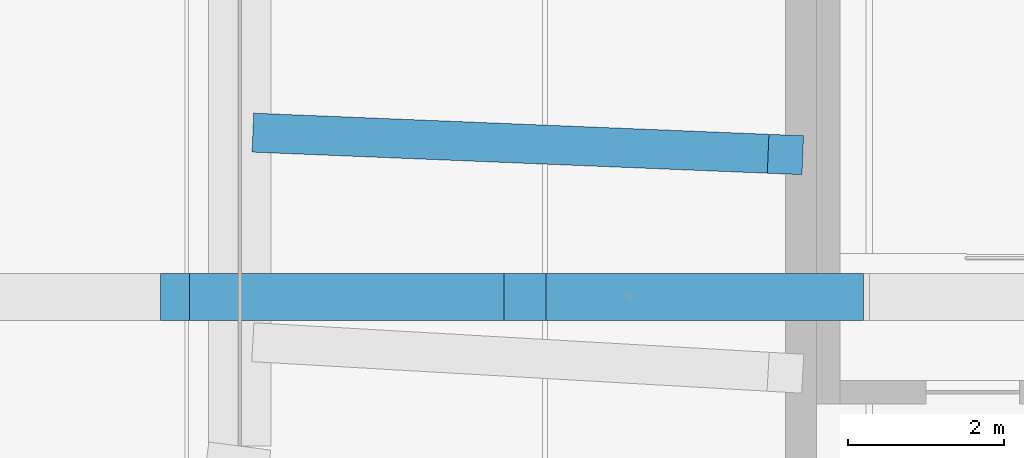
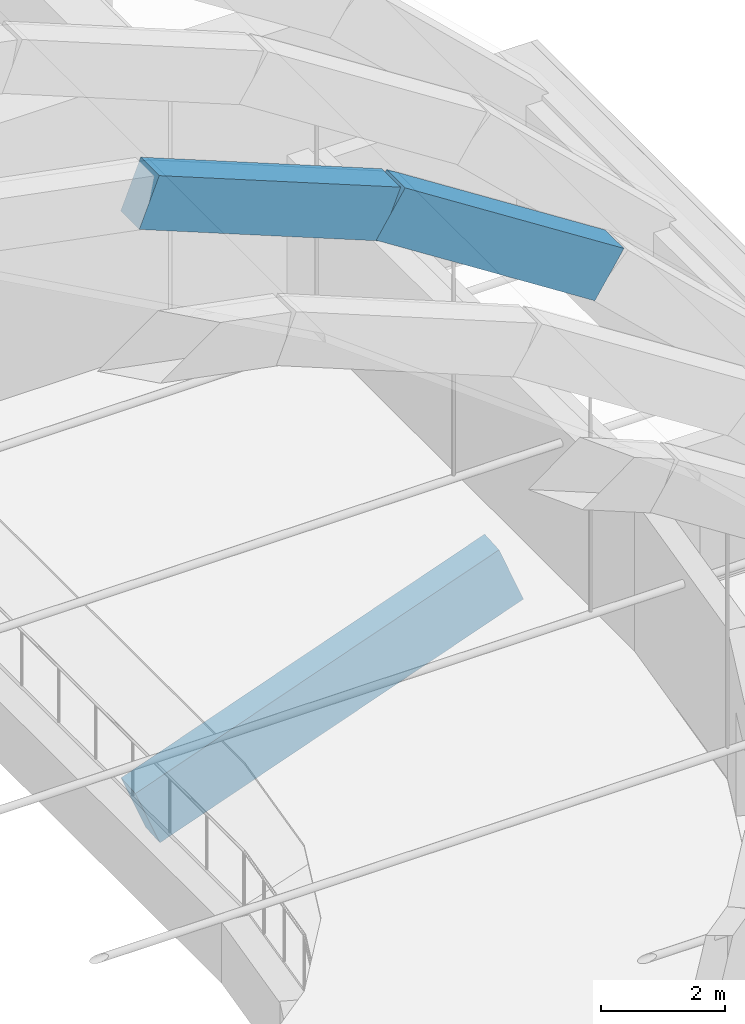
# One storey, part 42 of 94: 3 beams.
"""IFC4 building model written with IfcOpenShell, lengths in metres."""

from ifc_helpers import new_model, si_unit, direction, frame, origin, origin_2d, place, context, subcontext, project, spatial, rectangle, extrude, material, material_profile, profile_set, type_object, element, save


model = new_model("IFC4")

# Units and contexts
model_context = context("Model", 3, precision=1e-05, world=origin(), true_north=direction((0.0, 1.0)))
body_context = subcontext(model_context, "Body", "Model", "MODEL_VIEW")
ifc_project = project(units=[si_unit("LENGTHUNIT", "METRE"), si_unit("AREAUNIT", "SQUARE_METRE"), si_unit("VOLUMEUNIT", "CUBIC_METRE"), si_unit("PLANEANGLEUNIT", "RADIAN"), si_unit("MASSUNIT", "GRAM", prefix="KILO")], contexts=[model_context])

# Site, building, storey
site_placement = place(None, origin())
site = spatial("IfcSite", under=ifc_project, at=site_placement, CompositionType="ELEMENT")
building_placement = place(site_placement, origin())
building = spatial("IfcBuilding", under=site, at=building_placement, Name="Lunette Opera House", CompositionType="ELEMENT")
storey_placement = place(building_placement, frame((0.0, 0.0, 22.5)))
storey = spatial("IfcBuildingStorey", under=building, at=storey_placement, Name="L04", CompositionType="ELEMENT", Elevation=22.5)

# Beams
ifc_material_1 = material(Name="Concrete C40/50", Category="concrete")
ifc_material_profile_1 = material_profile(ifc_material_1, rectangle(XDim=0.60009765625, YDim=1.0, at=origin_2d()), Name="ARCH BEAM 600X1000")
ifc_profile_set_1 = profile_set([ifc_material_profile_1], Name="Concrete C40/50")
beam_type_1 = type_object("IfcBeamType", Name="ARCH BEAM 600X1000", PredefinedType="BEAM", material=ifc_profile_set_1)
beam_1_placement = place(storey_placement, frame((103.1689453125, 86.37109375, 10.346923828125), z_axis=(0.92830257193, 0.0, -0.371825678172), x_axis=(0.0, 1.0, 0.0)))
element("IfcBeam", 1, at=beam_1_placement, inside=storey, type_object=beam_type_1, Name="beam-AU-L04-EA6-7", PredefinedType="BEAM", context=body_context, shape_type="SweptSolid", body=[
    extrude(rectangle(XDim=0.60009765625, YDim=1.0, at=origin_2d()), origin(), (0.0, 0.0, 1.0), 4.837890625),
])
beam_2_placement = place(storey_placement, frame((107.659912109375, 86.37109375, 8.548095703125), z_axis=(0.84120306647, 0.0, -0.54071933659), x_axis=(0.0, 1.0, 0.0)))
element("IfcBeam", 2, at=beam_2_placement, inside=storey, type_object=beam_type_1, Name="beam-AU-L04-EA6-8", PredefinedType="BEAM", context=body_context, shape_type="SweptSolid", body=[
    extrude(rectangle(XDim=0.60009765625, YDim=1.0, at=origin_2d()), origin(), (0.0, 0.0, 1.0), 4.83837890625),
])
ifc_material_2 = material(Name="Concrete C35/45", Category="concrete")
ifc_material_profile_2 = material_profile(ifc_material_2, rectangle(XDim=0.5, YDim=1.199951171875, at=origin_2d()), Name="RAKER BEAM 500X1200")
ifc_profile_set_2 = profile_set([ifc_material_profile_2], Name="Concrete C35/45")
beam_type_2 = type_object("IfcBeamType", Name="RAKER BEAM 500X1200", PredefinedType="BEAM", material=ifc_profile_set_2)
beam_3_placement = place(storey_placement, frame((111.0, 88.199951171875, -0.845947265625), z_axis=(-0.927804766489, 0.03803742533, -0.371121906595), x_axis=(-0.040962819772, -0.999160671462, 0.0)))
element("IfcBeam", 3, at=beam_3_placement, inside=storey, type_object=beam_type_2, Name="beam-AU-L04-RKT3-14-2", PredefinedType="BEAM", context=body_context, shape_type="SweptSolid", body=[
    extrude(rectangle(XDim=0.5, YDim=1.199951171875, at=origin_2d()), origin(), (0.0, 0.0, 1.0), 7.12451171875),
])

save(model, "model.ifc")
